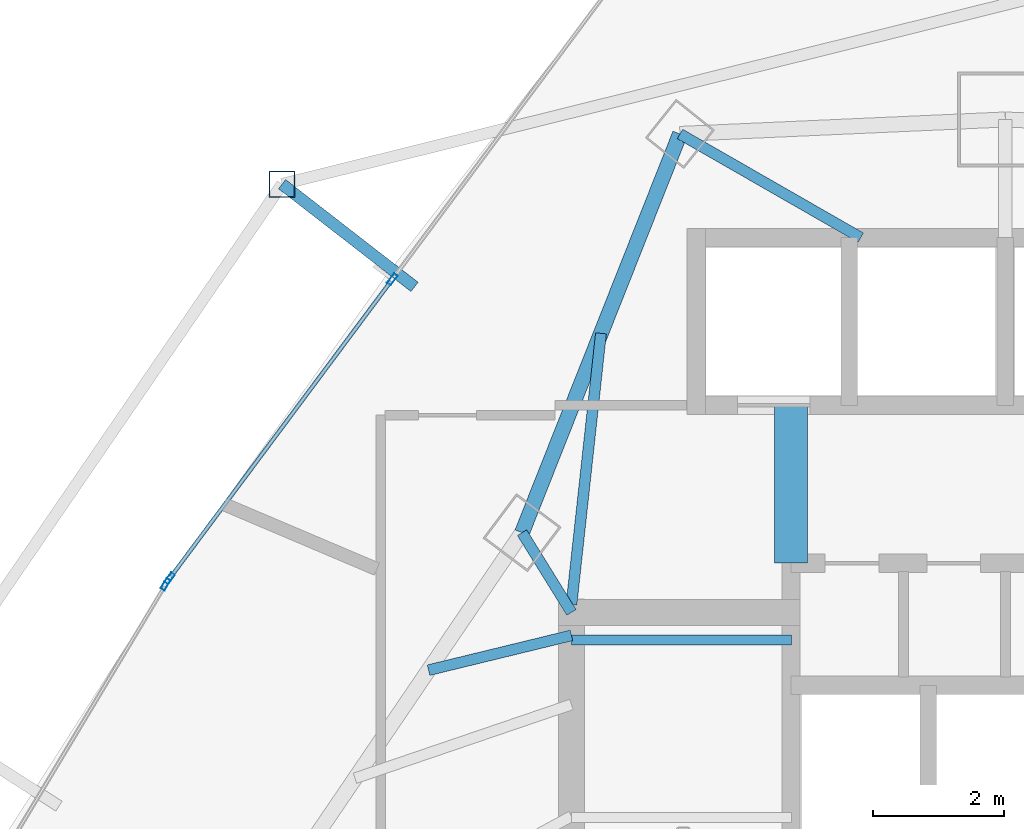
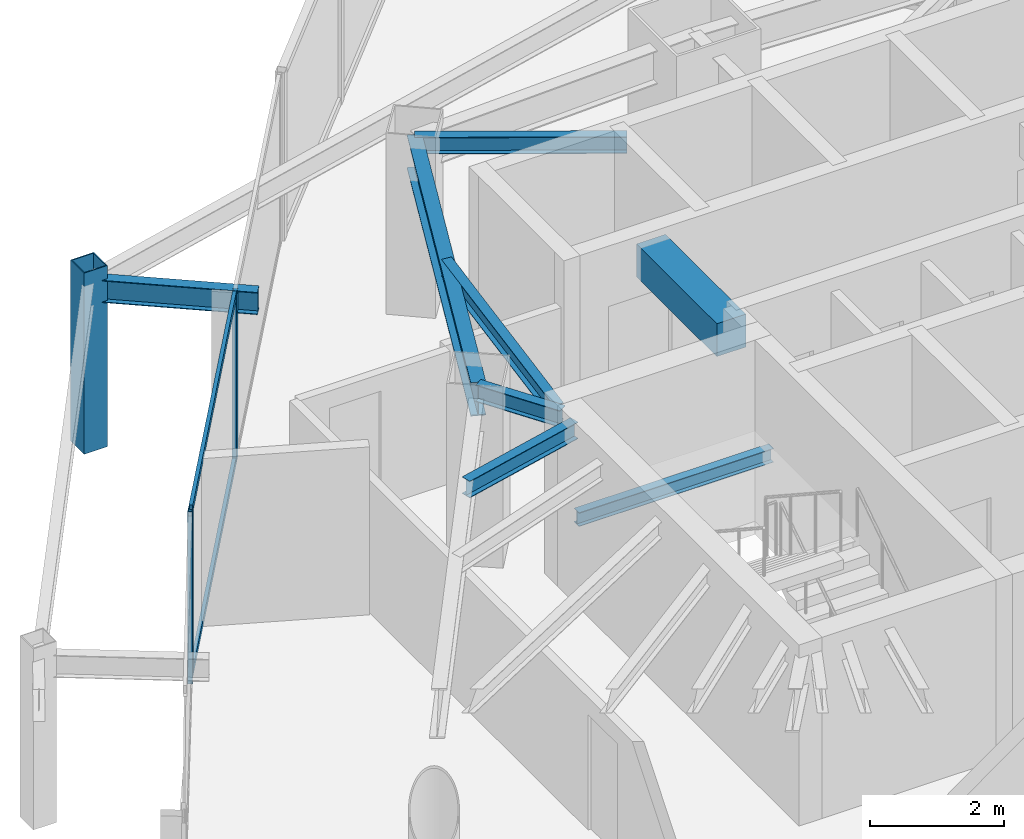
# One storey, part 19 of 31: 8 beams, 6 members, 2 elements without a shape of their own.
"""IFC4 building model written with IfcOpenShell, lengths in metres."""

from ifc_helpers import new_model, si_unit, direction, frame, origin, origin_2d, place, context, subcontext, project, spatial, rectangle, hollow_rectangle, i_section, extrude, material, layer, layer_set, material_profile, profile_set, type_object, element, aggregate, save


model = new_model("IFC4")

# Units and contexts
model_context = context("Model", 3, precision=1e-05, world=origin(), true_north=direction((0.0, 1.0)))
body_context = subcontext(model_context, "Body", "Model", "MODEL_VIEW")
ifc_project = project(units=[si_unit("LENGTHUNIT", "METRE"), si_unit("AREAUNIT", "SQUARE_METRE"), si_unit("VOLUMEUNIT", "CUBIC_METRE"), si_unit("PLANEANGLEUNIT", "RADIAN"), si_unit("MASSUNIT", "GRAM", prefix="KILO")], contexts=[model_context])

# Site, building, storey
site_placement = place(None, origin())
site = spatial("IfcSite", under=ifc_project, at=site_placement, CompositionType="ELEMENT")
building_placement = place(site_placement, origin())
building = spatial("IfcBuilding", under=site, at=building_placement, Name="Orvanel Arch Residences", CompositionType="ELEMENT")
storey_placement = place(building_placement, frame((0.0, 0.0, 129.800048828125)))
storey = spatial("IfcBuildingStorey", under=building, at=storey_placement, Name="L36", CompositionType="ELEMENT", Elevation=129.800048828125)

# Beams
ifc_material_1 = material(Name="Structural steel AS/NZS 3679.1 Grade 300 (300 MPa)", Category="steel")
ifc_material_profile_1 = material_profile(ifc_material_1, i_section(OverallWidth=0.14599609375, OverallDepth=0.251953125, WebThickness=0.006103515625, FlangeThickness=0.008544921875, at=origin_2d()), Name="250UB31.4")
ifc_profile_set_1 = profile_set([ifc_material_profile_1], Name="Structural steel AS/NZS 3679.1 Grade 300 (300 MPa)")
beam_type_1 = type_object("IfcBeamType", Name="BJ-250UB", PredefinedType="JOIST", material=ifc_profile_set_1)
beam_1_placement = place(storey_placement, frame((26.39990234375, 33.47998046875, 1.323974609375), z_axis=(1.0, 0.0, 0.0), x_axis=(0.0, 1.0, 0.0)))
element("IfcBeam", 1, at=beam_1_placement, inside=storey, type_object=beam_type_1, Name="L36 ST-1 Half-Landing Support Beam 1.2", PredefinedType="JOIST", context=body_context, shape_type="SweptSolid", body=[
    extrude(i_section(OverallWidth=0.14599609375, OverallDepth=0.251953125, WebThickness=0.006103515625, FlangeThickness=0.008544921875, at=origin_2d()), origin(), (0.0, 0.0, 1.0), 3.35009765625),
])
ifc_material_profile_2 = material_profile(ifc_material_1, i_section(OverallWidth=0.1650390625, OverallDepth=0.303955078125, WebThickness=0.006103515625, FlangeThickness=0.01025390625, at=origin_2d()), Name="310UB40.4")
ifc_profile_set_2 = profile_set([ifc_material_profile_2], Name="Structural steel AS/NZS 3679.1 Grade 300 (300 MPa)")
beam_type_2 = type_object("IfcBeamType", Name="BJ-310UB", PredefinedType="JOIST", material=ifc_profile_set_2)
beam_2_placement = place(storey_placement, frame((26.39990234375, 33.89990234375, 2.907958984375), z_axis=(-0.526843290616, 0.84996243866, 0.0), x_axis=(-0.84996243866, -0.526843290616, 0.0)))
element("IfcBeam", 2, at=beam_2_placement, inside=storey, type_object=beam_type_2, Name="L36 NNW Wing Floor Joist", PredefinedType="JOIST", context=body_context, shape_type="SweptSolid", body=[
    extrude(i_section(OverallWidth=0.1650390625, OverallDepth=0.303955078125, WebThickness=0.006103515625, FlangeThickness=0.01025390625, at=origin_2d()), origin(), (0.0, 0.0, 1.0), 1.42724609375),
])
beam_3_placement = place(storey_placement, frame((26.39990234375, 34.02001953125, 2.907958984375), z_axis=(0.108261441852, 0.99412245735, 0.0), x_axis=(-0.99412245735, 0.108261441852, 0.0)))
element("IfcBeam", 3, at=beam_3_placement, inside=storey, type_object=beam_type_2, Name="L36 NNW2 Wing Floor Joist", PredefinedType="JOIST", context=body_context, shape_type="SweptSolid", body=[
    extrude(i_section(OverallWidth=0.1650390625, OverallDepth=0.303955078125, WebThickness=0.006103515625, FlangeThickness=0.01025390625, at=origin_2d()), origin(), (0.0, 0.0, 1.0), 4.1494140625),
])
beam_4_placement = place(storey_placement, frame((30.800048828125, 39.60009765625, 2.907958984375), z_axis=(-0.86736513383, 0.497672306458, 0.0), x_axis=(-0.497672306458, -0.86736513383, 0.0)))
element("IfcBeam", 4, at=beam_4_placement, inside=storey, type_object=beam_type_2, Name="L36 MNW Wing Floor Joist", PredefinedType="JOIST", context=body_context, shape_type="SweptSolid", body=[
    extrude(i_section(OverallWidth=0.1650390625, OverallDepth=0.303955078125, WebThickness=0.006103515625, FlangeThickness=0.01025390625, at=origin_2d()), origin(), (0.0, 0.0, 1.0), 3.17041015625),
])
beam_5_placement = place(storey_placement, frame((26.39990234375, 33.550048828125, 2.907958984375), z_axis=(-0.971638471014, -0.236471312521, 0.0), x_axis=(0.236471312521, -0.971638471014, 0.0)))
element("IfcBeam", 5, at=beam_5_placement, inside=storey, type_object=beam_type_2, Name="L36 JADD3 Wing Floor Joist", PredefinedType="JOIST", context=body_context, shape_type="SweptSolid", body=[
    extrude(i_section(OverallWidth=0.1650390625, OverallDepth=0.303955078125, WebThickness=0.006103515625, FlangeThickness=0.01025390625, at=origin_2d()), origin(), (0.0, 0.0, 1.0), 2.2373046875),
])
ifc_material_2 = material(Name="Concrete S65 (65 MPa)", Category="concrete")
ifc_material_profile_3 = material_profile(ifc_material_2, rectangle(XDim=0.5, YDim=0.60009765625, at=origin_2d()), Name="RC500x600")
ifc_profile_set_3 = profile_set([ifc_material_profile_3], Name="Concrete S65 (65 MPa)")
beam_type_3 = type_object("IfcBeamType", Name="CB-500x600", PredefinedType="LINTEL", material=ifc_profile_set_3)
beam_6_placement = place(storey_placement, frame((29.739990234375, 34.64990234375, 2.760009765625), z_axis=(0.0, 1.0, 0.0), x_axis=(-1.0, 0.0, 0.0)))
element("IfcBeam", 6, at=beam_6_placement, inside=storey, type_object=beam_type_3, Name="L36 West Core Lobby Coupling Lintel Beam", PredefinedType="LINTEL", context=body_context, shape_type="SweptSolid", body=[
    extrude(rectangle(XDim=0.5, YDim=0.60009765625, at=origin_2d()), origin(), (0.0, 0.0, 1.0), 2.400146484375),
])

# Curtain wall, members
ifc_material_3 = material(Name="Bronze-anodised aluminium AA6063-T6", Category="aluminium")
ifc_layer = layer(ifc_material_3, 0.179931640625)
ifc_layer_set = layer_set([ifc_layer], Name="Bronze-anodised aluminium AA6063-T6")
curtain_wall_type = type_object("IfcCurtainWallType", Name="CW3-MID-SYS", PredefinedType="NOTDEFINED", material=ifc_layer_set)
curtain_wall_1_placement = place(storey_placement, origin())
curtain_wall_1 = element("IfcCurtainWall", 7, at=curtain_wall_1_placement, inside=storey, type_object=curtain_wall_type, Name="L36 CW3-MID-SYS Unitised Curtain Wall", PredefinedType="NOTDEFINED")
ifc_material_profile_4 = material_profile(ifc_material_3, hollow_rectangle(XDim=0.070068359375, YDim=0.179931640625, WallThickness=0.00439453125, at=origin_2d()), Name="ALU180x70x4.5")
ifc_profile_set_4 = profile_set([ifc_material_profile_4], Name="Bronze-anodised aluminium AA6063-T6")
member_type_1 = type_object("IfcMemberType", Name="MUL-180x70", PredefinedType="MULLION", material=ifc_profile_set_4)
member_1_placement = place(storey_placement, frame((23.675537109375, 38.966064453125, 0.0), z_axis=(0.0, 0.0, 1.0), x_axis=(0.801951131724, -0.597389640291, 0.0)))
member_1 = element("IfcMember", 8, at=member_1_placement, type_object=member_type_1, Name="CW-S3 mullion 2", PredefinedType="MULLION", context=body_context, shape_type="SweptSolid", body=[
    extrude(hollow_rectangle(XDim=0.070068359375, YDim=0.179931640625, WallThickness=0.00439453125, at=origin_2d()), origin(), (0.0, 0.0, 1.0), 3.06005859375),
])
member_2_placement = place(storey_placement, frame((20.286865234375, 34.4169921875, 0.0), z_axis=(0.0, 0.0, 1.0), x_axis=(0.801951131724, -0.597389640291, 0.0)))
member_2 = element("IfcMember", 9, at=member_2_placement, type_object=member_type_1, Name="CW-S3 mullion 3", PredefinedType="MULLION", context=body_context, shape_type="SweptSolid", body=[
    extrude(hollow_rectangle(XDim=0.070068359375, YDim=0.179931640625, WallThickness=0.00439453125, at=origin_2d()), origin(), (0.0, 0.0, 1.0), 3.06005859375),
])

# Curtain wall, member
curtain_wall_2_placement = place(storey_placement, origin())
curtain_wall_2 = element("IfcCurtainWall", 10, at=curtain_wall_2_placement, inside=storey, type_object=curtain_wall_type, Name="L36 CW3-MID-SYS Unitised Curtain Wall", PredefinedType="NOTDEFINED")
member_3_placement = place(storey_placement, frame((20.22607421875, 34.325927734375, 0.0), z_axis=(0.0, 0.0, 1.0), x_axis=(0.857531765451, -0.514431016991, 0.0)))
member_3 = element("IfcMember", 11, at=member_3_placement, type_object=member_type_1, Name="CW-S3 mullion 1", PredefinedType="MULLION", context=body_context, shape_type="SweptSolid", body=[
    extrude(hollow_rectangle(XDim=0.070068359375, YDim=0.179931640625, WallThickness=0.00439453125, at=origin_2d()), origin(), (0.0, 0.0, 1.0), 3.06005859375),
])
aggregate(curtain_wall_2, [member_3])

# Beams
ifc_material_profile_5 = material_profile(ifc_material_1, i_section(OverallWidth=0.177978515625, OverallDepth=0.406005859375, WebThickness=0.0078125, FlangeThickness=0.0126953125, at=origin_2d()), Name="410UB59.7")
ifc_profile_set_5 = profile_set([ifc_material_profile_5], Name="Structural steel AS/NZS 3679.1 Grade 300 (300 MPa)")
beam_type_4 = type_object("IfcBeamType", Name="OB-410UB-EXT", PredefinedType="SPANDREL", material=ifc_profile_set_5)
beam_7_placement = place(storey_placement, frame((24.012939453125, 38.85107421875, 2.85693359375), z_axis=(-0.790140314355, 0.612926001757, 0.0), x_axis=(-0.612926001757, -0.790140314355, 0.0)))
element("IfcBeam", 12, at=beam_7_placement, inside=storey, type_object=beam_type_4, Name="L36 Outer Frame Radial Tie Beam 01", PredefinedType="SPANDREL", context=body_context, shape_type="SweptSolid", body=[
    extrude(i_section(OverallWidth=0.177978515625, OverallDepth=0.406005859375, WebThickness=0.0078125, FlangeThickness=0.0126953125, at=origin_2d()), origin(), (0.0, 0.0, 1.0), 2.550048828125),
])
ifc_material_profile_6 = material_profile(ifc_material_1, i_section(OverallWidth=0.22900390625, OverallDepth=0.612060546875, WebThickness=0.011962890625, FlangeThickness=0.01953125, at=origin_2d()), Name="610UB125")
ifc_profile_set_6 = profile_set([ifc_material_profile_6], Name="Structural steel AS/NZS 3679.1 Grade 300 (300 MPa)")
beam_type_5 = type_object("IfcBeamType", Name="SP-610UB", PredefinedType="SPANDREL", material=ifc_profile_set_6)
beam_8_placement = place(storey_placement, frame((28.050048828125, 41.177978515625, 2.75390625), z_axis=(-0.368233143579, -0.929733484376, 0.0), x_axis=(0.929733484376, -0.368233143579, 0.0)))
element("IfcBeam", 13, at=beam_8_placement, inside=storey, type_object=beam_type_5, Name="L36 Perimeter Spandrel Beam 16", PredefinedType="SPANDREL", context=body_context, shape_type="SweptSolid", body=[
    extrude(i_section(OverallWidth=0.22900390625, OverallDepth=0.612060546875, WebThickness=0.011962890625, FlangeThickness=0.01953125, at=origin_2d()), origin(), (0.0, 0.0, 1.0), 6.523193359375),
])

# Member
ifc_material_4 = material(Name="Structural steel AS/NZS 1163 C450L0 (Grade 450)", Category="steel")
ifc_material_profile_7 = material_profile(ifc_material_4, hollow_rectangle(XDim=0.39990234375, YDim=0.39990234375, WallThickness=0.01611328125, at=origin_2d()), Name="SHS400x400x16")
ifc_profile_set_7 = profile_set([ifc_material_profile_7], Name="Structural steel AS/NZS 1163 C450L0 (Grade 450)")
member_type_2 = type_object("IfcMemberType", Name="ST-400SHS-EXT", PredefinedType="STRUT", material=ifc_profile_set_7)
member_4_placement = place(storey_placement, frame((21.998046875, 40.4140625, 0.0), z_axis=(0.0, 0.0, 1.0), x_axis=(1.0, 0.0, 0.0)))
element("IfcMember", 14, at=member_4_placement, inside=storey, type_object=member_type_2, Name="L36 Outer Perimeter Frame Post 01", PredefinedType="STRUT", context=body_context, shape_type="SweptSolid", body=[
    extrude(hollow_rectangle(XDim=0.39990234375, YDim=0.39990234375, WallThickness=0.01611328125, at=origin_2d()), origin(), (0.0, 0.0, 1.0), 3.300048828125),
])

ifc_material_profile_8 = material_profile(ifc_material_3, hollow_rectangle(XDim=0.06005859375, YDim=0.135009765625, WallThickness=0.00390625, at=origin_2d()), Name="ALU135x60x4")
ifc_profile_set_8 = profile_set([ifc_material_profile_8], Name="Bronze-anodised aluminium AA6063-T6")
member_type_3 = type_object("IfcMemberType", Name="TRN-135x60", PredefinedType="USERDEFINED", material=ifc_profile_set_8)
member_5_placement = place(storey_placement, frame((23.654541015625, 38.93798828125, 0.030029296875), z_axis=(-0.597368132118, -0.801967153149, 0.0), x_axis=(0.801967153149, -0.597368132118, 0.0)))
member_5 = element("IfcMember", 15, at=member_5_placement, type_object=member_type_3, Name="CW-S3 transom 2.1", ObjectType="TRANSOM", PredefinedType="USERDEFINED", context=body_context, shape_type="SweptSolid", body=[
    extrude(hollow_rectangle(XDim=0.06005859375, YDim=0.135009765625, WallThickness=0.00390625, at=origin_2d()), origin(), (0.0, 0.0, 1.0), 5.602294921875),
])

member_6_placement = place(storey_placement, frame((23.654541015625, 38.93798828125, 3.030029296875), z_axis=(-0.597368132118, -0.801967153149, 0.0), x_axis=(0.801967153149, -0.597368132118, 0.0)))
member_6 = element("IfcMember", 16, at=member_6_placement, type_object=member_type_3, Name="CW-S3 transom 2.2", ObjectType="TRANSOM", PredefinedType="USERDEFINED", context=body_context, shape_type="SweptSolid", body=[
    extrude(hollow_rectangle(XDim=0.06005859375, YDim=0.135009765625, WallThickness=0.00390625, at=origin_2d()), origin(), (0.0, 0.0, 1.0), 5.602294921875),
])

aggregate(curtain_wall_1, [member_1, member_2, member_5, member_6])

save(model, "model.ifc")
